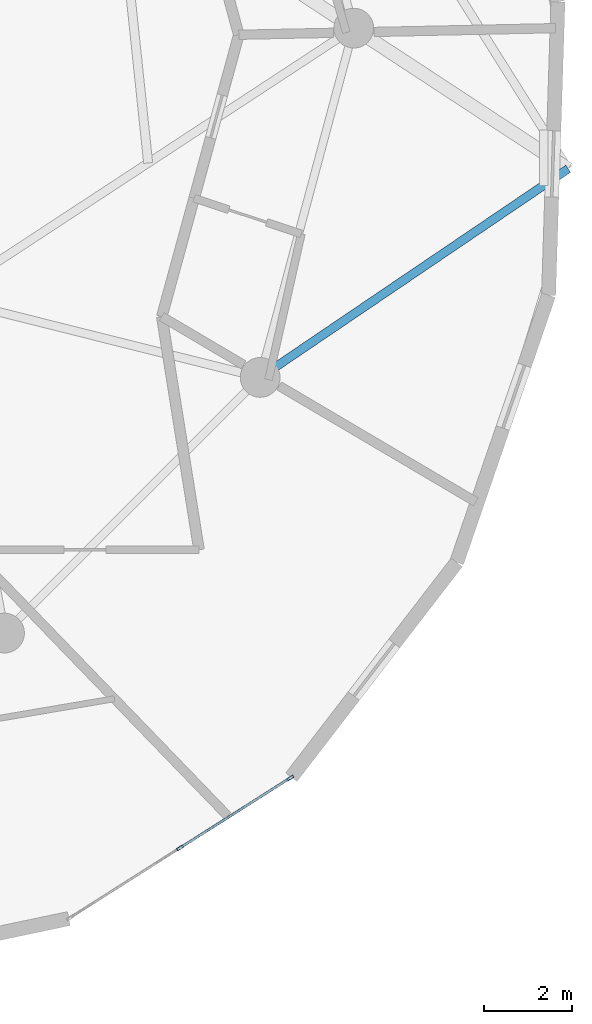
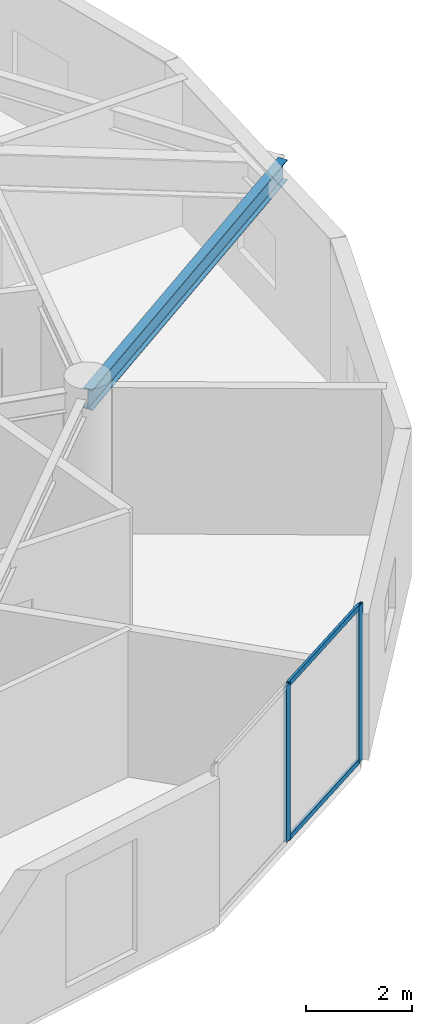
# One storey, part 9 of 19: 4 members, 1 beam, 1 element without a shape of its own.
"""IFC4 building model written with IfcOpenShell, lengths in metres."""

from ifc_helpers import new_model, si_unit, direction, frame, origin, origin_2d, place, context, subcontext, project, spatial, hollow_rectangle, i_section, extrude, source, transform, mapped, material, layer, layer_set, material_profile, profile_set, type_object, element, aggregate, save


model = new_model("IFC4")

# Units and contexts
model_context = context("Model", 3, precision=1e-05, world=origin(), true_north=direction((0.0, 1.0)))
body_context = subcontext(model_context, "Body", "Model", "MODEL_VIEW")
ifc_project = project(units=[si_unit("LENGTHUNIT", "METRE"), si_unit("AREAUNIT", "SQUARE_METRE"), si_unit("VOLUMEUNIT", "CUBIC_METRE"), si_unit("PLANEANGLEUNIT", "RADIAN"), si_unit("MASSUNIT", "GRAM", prefix="KILO")], contexts=[model_context])

# Site, building, storey
site_placement = place(None, origin())
site = spatial("IfcSite", under=ifc_project, at=site_placement, CompositionType="ELEMENT")
building_placement = place(site_placement, origin())
building = spatial("IfcBuilding", under=site, at=building_placement, Name="Solvirekh Grand Hotel", CompositionType="ELEMENT")
storey_placement = place(building_placement, frame((0.0, 0.0, 212.800048828125)))
storey = spatial("IfcBuildingStorey", under=building, at=storey_placement, Name="L55", CompositionType="ELEMENT", Elevation=212.800048828125)

# Beam
ifc_material_1 = material(Name="Steel S355", Category="steel")
ifc_material_profile_1 = material_profile(ifc_material_1, i_section(OverallWidth=0.194091796875, OverallDepth=0.468994140625, WebThickness=0.010986328125, FlangeThickness=0.01904296875, FilletRadius=0.012939453125, at=origin_2d()), Name="W460X106")
ifc_profile_set_1 = profile_set([ifc_material_profile_1], Name="Steel S355")
beam_type = type_object("IfcBeamType", Name="Beam_Radial_W460H", PredefinedType="BEAM", material=ifc_profile_set_1)
beam_placement = place(storey_placement, frame((13.68310546875, -7.89990234375, 3.055908203125), z_axis=(0.827943461262, 0.560811577051, 0.0), x_axis=(-0.560811577051, 0.827943461262, 0.0)))
element("IfcBeam", 1, at=beam_placement, inside=storey, type_object=beam_type, Name="L56 sky-garden edge tie beam 1", PredefinedType="BEAM", context=body_context, shape_type="SweptSolid", body=[
    extrude(i_section(OverallWidth=0.194091796875, OverallDepth=0.468994140625, WebThickness=0.010986328125, FlangeThickness=0.01904296875, FilletRadius=0.012939453125, at=origin_2d()), origin(), (0.0, 0.0, 1.0), 8.41455078125),
])

# Curtain wall, members
ifc_material_2 = material(Name="Anodized Bronze Aluminium 6063-T6", Category="aluminium")
ifc_layer = layer(ifc_material_2, 0.159912109375)
ifc_layer_set = layer_set([ifc_layer], Name="Anodized Bronze Aluminium 6063-T6")
curtain_wall_type = type_object("IfcCurtainWallType", Name="CW_Sys4_HighZoneFlushBronzeCW", PredefinedType="NOTDEFINED", material=ifc_layer_set)
curtain_wall_placement = place(storey_placement, origin())
curtain_wall = element("IfcCurtainWall", 2, at=curtain_wall_placement, inside=storey, type_object=curtain_wall_type, Name="L55 unitised bronze-glass curtain wall CW-L55-C01", PredefinedType="NOTDEFINED")
ifc_material_profile_2 = material_profile(ifc_material_2, hollow_rectangle(XDim=0.06005859375, YDim=0.159912109375, WallThickness=0.0048828125, at=origin_2d()), Name="ALU RHS 160X60X5")
ifc_profile_set_2 = profile_set([ifc_material_profile_2], Name="Anodized Bronze Aluminium 6063-T6")
member_type_1 = type_object("IfcMemberType", Name="CWMullion_Sys4", PredefinedType="MULLION", material=ifc_profile_set_2)
shared_shape_1 = source(origin(), body_context, "Body", "SweptSolid", [
    extrude(hollow_rectangle(XDim=0.06005859375, YDim=0.159912109375, WallThickness=0.0048828125, at=origin_2d()), origin(), (0.0, 0.0, 1.0), 3.599853515625),
])
member_1_placement = place(storey_placement, frame((11.8720703125, -18.54296875, 0.0), z_axis=(0.0, 0.0, 1.0), x_axis=(-0.53631145654, 0.844020154726, 0.0)))
member_1 = element("IfcMember", 3, at=member_1_placement, type_object=member_type_1, Name="U04 mullion 2", PredefinedType="MULLION", context=body_context, shape_type="MappedRepresentation", body=[
    mapped(shared_shape_1, transform((0.0, 0.0, 0.0), x_axis=(1.0, 0.0, 0.0), y_axis=(0.0, 1.0, 0.0), z_axis=(0.0, 0.0, 1.0), scale=1.0)),
])
member_2_placement = place(storey_placement, frame((14.36474609375, -16.958984375, 0.0), z_axis=(0.0, 0.0, 1.0), x_axis=(-0.53631145654, 0.844020154726, 0.0)))
member_2 = element("IfcMember", 4, at=member_2_placement, type_object=member_type_1, Name="U04 mullion 3", PredefinedType="MULLION", context=body_context, shape_type="MappedRepresentation", body=[
    mapped(shared_shape_1, transform((0.0, 0.0, 0.0), x_axis=(1.0, 0.0, 0.0), y_axis=(0.0, 1.0, 0.0), z_axis=(0.0, 0.0, 1.0), scale=1.0)),
])
ifc_material_profile_3 = material_profile(ifc_material_2, hollow_rectangle(XDim=0.054931640625, YDim=0.1201171875, WallThickness=0.00390625, at=origin_2d()), Name="ALU RHS 120X55X4")
ifc_profile_set_3 = profile_set([ifc_material_profile_3], Name="Anodized Bronze Aluminium 6063-T6")
member_type_2 = type_object("IfcMemberType", Name="CWTransom_Sys4", PredefinedType="USERDEFINED", material=ifc_profile_set_3)
shared_shape_2 = source(origin(), body_context, "Body", "SweptSolid", [
    extrude(hollow_rectangle(XDim=0.054931640625, YDim=0.1201171875, WallThickness=0.00390625, at=origin_2d()), origin(), (0.0, 0.0, 1.0), 2.8935546875),
])
member_3_placement = place(storey_placement, frame((11.897216796875, -18.52685546875, 0.02734375), z_axis=(0.844026100688, 0.536302098968, 0.0), x_axis=(-0.536302098968, 0.844026100688, 0.0)))
member_3 = element("IfcMember", 5, at=member_3_placement, type_object=member_type_2, Name="U04 transom 2.1", ObjectType="TRANSOM", PredefinedType="USERDEFINED", context=body_context, shape_type="MappedRepresentation", body=[
    mapped(shared_shape_2, transform((0.0, 0.0, 0.0), x_axis=(1.0, 0.0, 0.0), y_axis=(0.0, 1.0, 0.0), z_axis=(0.0, 0.0, 1.0), scale=1.0)),
])
member_4_placement = place(storey_placement, frame((11.897216796875, -18.52685546875, 3.572509765625), z_axis=(0.844026100688, 0.536302098968, 0.0), x_axis=(-0.536302098968, 0.844026100688, 0.0)))
member_4 = element("IfcMember", 6, at=member_4_placement, type_object=member_type_2, Name="U04 transom 2.2", ObjectType="TRANSOM", PredefinedType="USERDEFINED", context=body_context, shape_type="MappedRepresentation", body=[
    mapped(shared_shape_2, transform((0.0, 0.0, 0.0), x_axis=(1.0, 0.0, 0.0), y_axis=(0.0, 1.0, 0.0), z_axis=(0.0, 0.0, 1.0), scale=1.0)),
])
aggregate(curtain_wall, [member_1, member_2, member_3, member_4])

save(model, "model.ifc")
